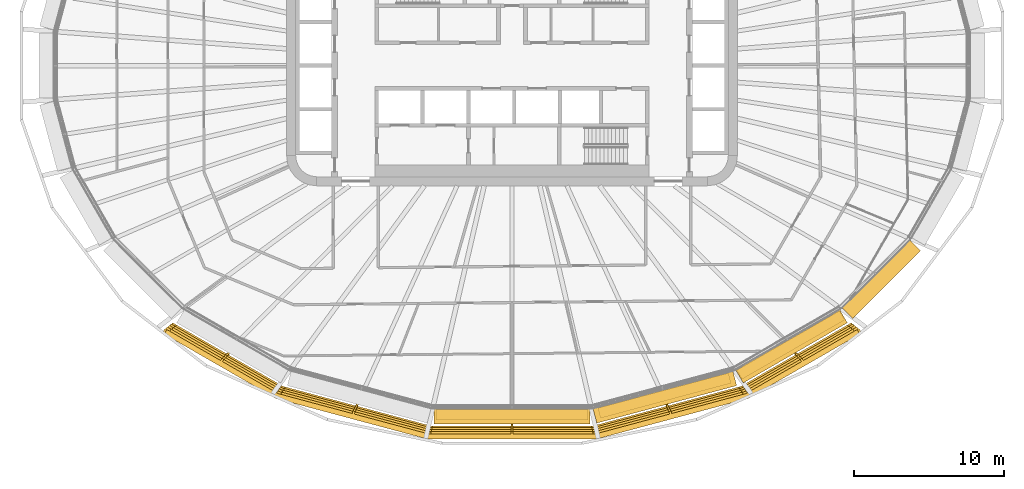
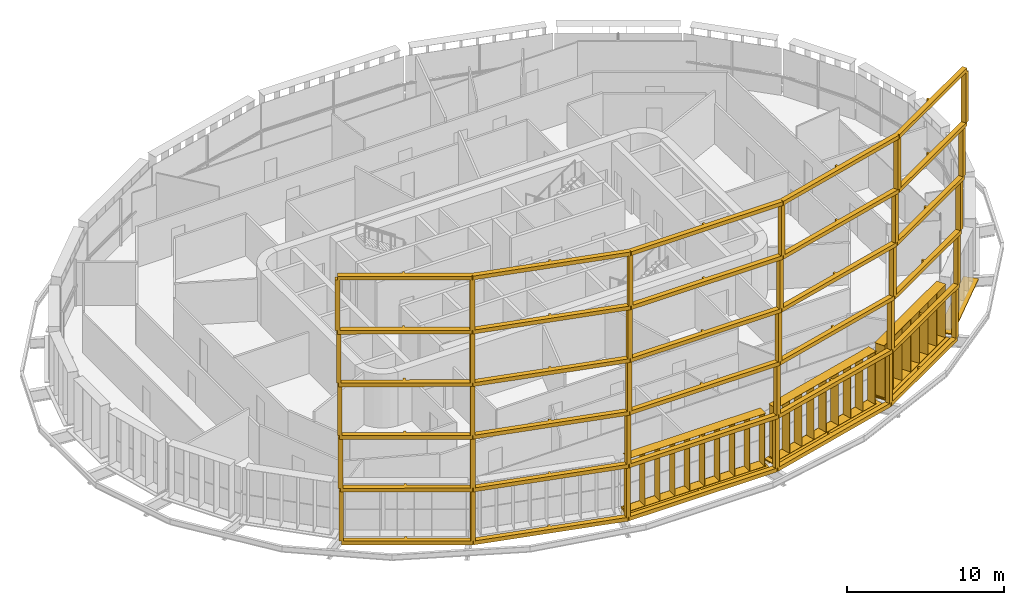
# One storey, part 20 of 23: 8 shading devices.
"""IFC4 building model written with IfcOpenShell, lengths in metres."""

from ifc_helpers import new_model, si_unit, direction, frame, origin, origin_2d, place, context, subcontext, project, spatial, polyline, rectangle, outline, extrude, material, type_object, element, save


model = new_model("IFC4")

# Units and contexts
model_context = context("Model", 3, precision=1e-05, world=origin(), true_north=direction((0.0, 1.0)))
body_context = subcontext(model_context, "Body", "Model", "MODEL_VIEW")
ifc_project = project(units=[si_unit("LENGTHUNIT", "METRE"), si_unit("AREAUNIT", "SQUARE_METRE"), si_unit("VOLUMEUNIT", "CUBIC_METRE"), si_unit("PLANEANGLEUNIT", "RADIAN"), si_unit("MASSUNIT", "GRAM", prefix="KILO")], contexts=[model_context])

# Site, building, storey
site_placement = place(None, origin())
site = spatial("IfcSite", under=ifc_project, at=site_placement, CompositionType="ELEMENT")
building_placement = place(site_placement, origin())
building = spatial("IfcBuilding", under=site, at=building_placement, Name="Sahrelin Media Tower", CompositionType="ELEMENT")
storey_placement = place(building_placement, frame((0.0, 0.0, 54.60009765625)))
storey = spatial("IfcBuildingStorey", under=building, at=storey_placement, Name="L08", CompositionType="ELEMENT", Elevation=54.60009765625)

# Shading devices
ifc_material_1 = material(Name="Dark bronze anodised aluminium 6063-T6", Category="aluminium")
shading_device_type_1 = type_object("IfcShadingDeviceType", Name="Deep frame", PredefinedType="USERDEFINED", material=ifc_material_1)
shading_device_1_placement = place(storey_placement, frame((-21.89404296875, -16.185546875, 0.0), z_axis=(0.0, 0.0, 1.0), x_axis=(-0.866019052629, 0.500011000363, 0.0)))
element("IfcShadingDevice", 1, at=shading_device_1_placement, inside=storey, type_object=shading_device_type_1, Name="L08:FRAME:F1-5", ObjectType="FRAME", PredefinedType="USERDEFINED", context=body_context, shape_type="SweptSolid", body=[
    extrude(rectangle(XDim=0.300048828125, YDim=0.35009765625, at=origin_2d()), frame((0.0, 1.324951171875, 0.14990234375), z_axis=(0.0, 0.0, 1.0), x_axis=(-1.0, 0.0, 0.0)), (0.0, 0.0, 1.0), 3.900146484375),
    extrude(rectangle(XDim=0.300048828125, YDim=0.35009765625, at=origin_2d()), frame((-8.375732421875, 1.313720703125, 0.14990234375), z_axis=(0.0, 0.0, 1.0), x_axis=(-0.991434606813, -0.130604059715, 0.0)), (0.0, 0.0, 1.0), 3.900146484375),
    extrude(rectangle(XDim=0.300048828125, YDim=0.35009765625, at=origin_2d()), frame((-18.215087890625, -1.32275390625, 0.14990234375), z_axis=(0.0, 0.0, 1.0), x_axis=(-0.923876860854, -0.382689882252, 0.0)), (0.0, 0.0, 1.0), 3.900146484375),
    extrude(rectangle(XDim=0.300048828125, YDim=0.35009765625, at=origin_2d()), frame((-27.66845703125, -6.780517578125, 0.14990234375), z_axis=(0.0, 0.0, 1.0), x_axis=(-0.793352277801, -0.608762813671, 0.0)), (0.0, 0.0, 1.0), 3.900146484375),
    extrude(rectangle(XDim=0.300048828125, YDim=0.35009765625, at=origin_2d()), frame((-34.871337890625, -13.9833984375, 0.14990234375), z_axis=(0.0, 0.0, 1.0), x_axis=(-0.608811275668, -0.793315089117, 0.0)), (0.0, 0.0, 1.0), 3.900146484375),
    extrude(rectangle(XDim=0.300048828125, YDim=0.35009765625, at=origin_2d()), frame((-39.069091796875, -21.231201171875, 0.14990234375), z_axis=(0.0, 0.0, 1.0), x_axis=(-0.499968258175, -0.86604372916, 0.0)), (0.0, 0.0, 1.0), 3.900146484375),
    extrude(outline(polyline([(-27.755859375, -6.62890625), (-27.66845703125, -6.780517578125), (-27.7919921875, -6.65673828125), (-34.9951171875, -13.859619140625), (-34.871337890625, -13.9833984375), (-35.022705078125, -13.895751953125), (-39.220458984375, -21.1435546875), (-38.917724609375, -21.319091796875), (-36.899658203125, -17.834716796875), (-36.748291015625, -17.921875), (-36.67333984375, -17.7919921875), (-36.824462890625, -17.704833984375), (-34.7314453125, -14.0908203125), (-31.19921875, -10.55859375), (-31.079833984375, -10.677978515625), (-30.973876953125, -10.572021484375), (-31.093017578125, -10.45263671875), (-27.56103515625, -6.920654296875), (-22.919189453125, -4.24072265625), (-22.8349609375, -4.38671875), (-22.705078125, -4.311767578125), (-22.789306640625, -4.165771484375), (-18.147705078125, -1.48583984375), (-13.322509765625, -0.193115234375), (-13.279052734375, -0.35595703125), (-13.134033203125, -0.317138671875), (-13.177734375, -0.154296875), (-8.3525390625, 1.138671875), (-4.176513671875, 1.144287109375), (-4.176513671875, 0.969970703125), (-4.0263671875, 0.969970703125), (-4.0263671875, 1.14453125), (0.000244140625, 1.14990234375), (-0.000244140625, 1.5), (-8.3759765625, 1.48876953125), (-8.375732421875, 1.313720703125), (-8.421142578125, 1.482666015625), (-18.260498046875, -1.15380859375), (-18.215087890625, -1.32275390625), (-18.302490234375, -1.171142578125), (-27.755859375, -6.62890625)])), frame((0.0, 0.0, -0.14990234375)), (0.0, 0.0, 1.0), 0.2998046875),
    extrude(rectangle(XDim=0.300048828125, YDim=0.35009765625, at=origin_2d()), frame((0.048583984375, 1.4453125, 4.35009765625), z_axis=(0.0, 0.0, 1.0), x_axis=(-1.0, 0.0, 0.0)), (0.0, 0.0, 1.0), 3.89990234375),
    extrude(rectangle(XDim=0.300048828125, YDim=0.35009765625, at=origin_2d()), frame((-8.365966796875, 1.43408203125, 4.35009765625), z_axis=(0.0, 0.0, 1.0), x_axis=(-0.991436202368, -0.130591947046, 0.0)), (0.0, 0.0, 1.0), 3.89990234375),
    extrude(rectangle(XDim=0.300048828125, YDim=0.35009765625, at=origin_2d()), frame((-18.24951171875, -1.214111328125, 4.35009765625), z_axis=(0.0, 0.0, 1.0), x_axis=(-0.923876860854, -0.382689882252, 0.0)), (0.0, 0.0, 1.0), 3.89990234375),
    extrude(rectangle(XDim=0.300048828125, YDim=0.35009765625, at=origin_2d()), frame((-27.7451171875, -6.6962890625, 4.35009765625), z_axis=(0.0, 0.0, 1.0), x_axis=(-0.793352277801, -0.608762813671, 0.0)), (0.0, 0.0, 1.0), 3.89990234375),
    extrude(rectangle(XDim=0.300048828125, YDim=0.35009765625, at=origin_2d()), frame((-34.98046875, -13.931640625, 4.35009765625), z_axis=(0.0, 0.0, 1.0), x_axis=(-0.608748966968, -0.793362902596, 0.0)), (0.0, 0.0, 1.0), 3.89990234375),
    extrude(rectangle(XDim=0.300048828125, YDim=0.35009765625, at=origin_2d()), frame((-39.197509765625, -21.21337890625, 4.35009765625), z_axis=(0.0, 0.0, 1.0), x_axis=(-0.500010580459, -0.866019295067, 0.0)), (0.0, 0.0, 1.0), 3.89990234375),
    extrude(outline(polyline([(-27.83251953125, -6.544921875), (-27.7451171875, -6.6962890625), (-27.868896484375, -6.57275390625), (-35.10400390625, -13.807861328125), (-34.98046875, -13.931640625), (-35.1318359375, -13.843994140625), (-39.34912109375, -21.125732421875), (-39.046142578125, -21.301025390625), (-37.018310546875, -17.7998046875), (-36.8671875, -17.886962890625), (-36.792236328125, -17.757080078125), (-36.943115234375, -17.669921875), (-34.84033203125, -14.039306640625), (-31.2919921875, -10.49072265625), (-31.1728515625, -10.610107421875), (-31.066650390625, -10.50390625), (-31.18603515625, -10.384765625), (-27.6376953125, -6.83642578125), (-22.974853515625, -4.144287109375), (-22.890380859375, -4.29052734375), (-22.760498046875, -4.215576171875), (-22.844970703125, -4.0693359375), (-18.181884765625, -1.377197265625), (-13.3349609375, -0.07861328125), (-13.291259765625, -0.241455078125), (-13.146484375, -0.20263671875), (-13.190185546875, -0.039794921875), (-8.343017578125, 1.259033203125), (-4.147216796875, 1.2646484375), (-4.147216796875, 1.09033203125), (-3.997314453125, 1.09033203125), (-3.997314453125, 1.264892578125), (0.048828125, 1.270263671875), (0.048583984375, 1.620361328125), (-8.3662109375, 1.60888671875), (-8.365966796875, 1.43408203125), (-8.411376953125, 1.60302734375), (-18.294921875, -1.045166015625), (-18.24951171875, -1.214111328125), (-18.337158203125, -1.062744140625), (-27.83251953125, -6.544921875)])), frame((0.0, 0.0, 4.050048828125)), (0.0, 0.0, 1.0), 0.300048828125),
    extrude(rectangle(XDim=0.300048828125, YDim=0.35009765625, at=origin_2d()), frame((0.10693359375, 1.58837890625, 8.550048828125), z_axis=(0.0, 0.0, 1.0), x_axis=(-1.0, 0.0, 0.0)), (0.0, 0.0, 1.0), 3.89990234375),
    extrude(rectangle(XDim=0.300048828125, YDim=0.35009765625, at=origin_2d()), frame((-8.354248046875, 1.5771484375, 8.550048828125), z_axis=(0.0, 0.0, 1.0), x_axis=(-0.991447594891, -0.130505427419, 0.0)), (0.0, 0.0, 1.0), 3.89990234375),
    extrude(rectangle(XDim=0.300048828125, YDim=0.35009765625, at=origin_2d()), frame((-18.29052734375, -1.085205078125, 8.550048828125), z_axis=(0.0, 0.0, 1.0), x_axis=(-0.923876860854, -0.382689882252, 0.0)), (0.0, 0.0, 1.0), 3.89990234375),
    extrude(rectangle(XDim=0.300048828125, YDim=0.35009765625, at=origin_2d()), frame((-27.83642578125, -6.596435546875, 8.550048828125), z_axis=(0.0, 0.0, 1.0), x_axis=(-0.793315089117, -0.608811275668, 0.0)), (0.0, 0.0, 1.0), 3.89990234375),
    extrude(rectangle(XDim=0.300048828125, YDim=0.35009765625, at=origin_2d()), frame((-35.1103515625, -13.8701171875, 8.550048828125), z_axis=(0.0, 0.0, 1.0), x_axis=(-0.608762813671, -0.793352277801, 0.0)), (0.0, 0.0, 1.0), 3.89990234375),
    extrude(rectangle(XDim=0.300048828125, YDim=0.35009765625, at=origin_2d()), frame((-39.3505859375, -21.192138671875, 8.550048828125), z_axis=(0.0, 0.0, 1.0), x_axis=(-0.500010580459, -0.866019295067, 0.0)), (0.0, 0.0, 1.0), 3.89990234375),
    extrude(outline(polyline([(-27.924072265625, -6.44482421875), (-27.83642578125, -6.596435546875), (-27.960205078125, -6.47265625), (-35.234130859375, -13.74658203125), (-35.1103515625, -13.8701171875), (-35.26171875, -13.782470703125), (-39.502197265625, -21.1044921875), (-39.19921875, -21.27978515625), (-37.159912109375, -17.75830078125), (-37.0087890625, -17.845703125), (-36.93359375, -17.7158203125), (-37.084716796875, -17.628662109375), (-34.970458984375, -13.977783203125), (-31.402587890625, -10.41015625), (-31.283447265625, -10.529296875), (-31.177490234375, -10.42333984375), (-31.296630859375, -10.303955078125), (-27.72900390625, -6.736572265625), (-23.041015625, -4.02978515625), (-22.95654296875, -4.17578125), (-22.82666015625, -4.100830078125), (-22.9111328125, -3.954833984375), (-18.222900390625, -1.248291015625), (-13.349609375, 0.0576171875), (-13.305908203125, -0.105224609375), (-13.160888671875, -0.06640625), (-13.20458984375, 0.096435546875), (-8.3310546875, 1.40234375), (-4.1123046875, 1.407958984375), (-4.1123046875, 1.2333984375), (-3.962158203125, 1.2333984375), (-3.962158203125, 1.408203125), (0.107177734375, 1.41357421875), (0.106689453125, 1.763427734375), (-8.3544921875, 1.752197265625), (-8.354248046875, 1.5771484375), (-8.399658203125, 1.746337890625), (-18.335693359375, -0.916015625), (-18.29052734375, -1.085205078125), (-18.3779296875, -0.93359375), (-27.924072265625, -6.44482421875)])), frame((0.0, 0.0, 8.25)), (0.0, 0.0, 1.0), 0.300048828125),
    extrude(rectangle(XDim=0.300048828125, YDim=0.35009765625, at=origin_2d()), frame((0.1708984375, 1.746337890625, 12.75), z_axis=(0.0, 0.0, 1.0), x_axis=(-1.0, 0.0, 0.0)), (0.0, 0.0, 1.0), 3.89990234375),
    extrude(rectangle(XDim=0.300048828125, YDim=0.35009765625, at=origin_2d()), frame((-8.34130859375, 1.735107421875, 12.75), z_axis=(0.0, 0.0, 1.0), x_axis=(-0.991449189241, -0.130493314592, 0.0)), (0.0, 0.0, 1.0), 3.89990234375),
    extrude(rectangle(XDim=0.300048828125, YDim=0.35009765625, at=origin_2d()), frame((-18.335693359375, -0.94287109375, 12.75), z_axis=(0.0, 0.0, 1.0), x_axis=(-0.923876860854, -0.382689882252, 0.0)), (0.0, 0.0, 1.0), 3.89990234375),
    extrude(rectangle(XDim=0.300048828125, YDim=0.35009765625, at=origin_2d()), frame((-27.93701171875, -6.486083984375, 12.75), z_axis=(0.0, 0.0, 1.0), x_axis=(-0.793400087474, -0.608700502051, 0.0)), (0.0, 0.0, 1.0), 3.89990234375),
    extrude(rectangle(XDim=0.300048828125, YDim=0.35009765625, at=origin_2d()), frame((-35.25341796875, -13.802490234375, 12.75), z_axis=(0.0, 0.0, 1.0), x_axis=(-0.608762813671, -0.793352277801, 0.0)), (0.0, 0.0, 1.0), 3.89990234375),
    extrude(rectangle(XDim=0.300048828125, YDim=0.35009765625, at=origin_2d()), frame((-39.51953125, -21.168701171875, 12.75), z_axis=(0.0, 0.0, 1.0), x_axis=(-0.499968258175, -0.86604372916, 0.0)), (0.0, 0.0, 1.0), 3.89990234375),
    extrude(outline(polyline([(-28.024658203125, -6.334716796875), (-27.93701171875, -6.486083984375), (-28.060791015625, -6.3623046875), (-35.377197265625, -13.6787109375), (-35.25341796875, -13.802490234375), (-35.40478515625, -13.714599609375), (-39.6708984375, -21.080810546875), (-39.367919921875, -21.25634765625), (-37.31591796875, -17.712890625), (-37.164794921875, -17.800048828125), (-37.089599609375, -17.670166015625), (-37.24072265625, -17.5830078125), (-35.113525390625, -13.909912109375), (-31.524658203125, -10.321044921875), (-31.4052734375, -10.440185546875), (-31.29931640625, -10.334228515625), (-31.41845703125, -10.215087890625), (-27.82958984375, -6.626220703125), (-23.114013671875, -3.903564453125), (-23.029541015625, -4.049560546875), (-22.899658203125, -3.974609375), (-22.98388671875, -3.82861328125), (-18.268310546875, -1.10595703125), (-13.36572265625, 0.207763671875), (-13.322021484375, 0.044921875), (-13.17724609375, 0.08349609375), (-13.220703125, 0.24658203125), (-8.318359375, 1.56005859375), (-4.07373046875, 1.56591796875), (-4.07373046875, 1.391357421875), (-3.923828125, 1.391357421875), (-3.923828125, 1.56591796875), (0.171142578125, 1.5712890625), (0.170654296875, 1.92138671875), (-8.341796875, 1.91015625), (-8.34130859375, 1.735107421875), (-8.38671875, 1.904296875), (-18.381103515625, -0.773681640625), (-18.335693359375, -0.94287109375), (-18.423095703125, -0.791259765625), (-28.024658203125, -6.334716796875)])), frame((0.0, 0.0, 12.449951171875)), (0.0, 0.0, 1.0), 0.300048828125),
    extrude(rectangle(XDim=0.300048828125, YDim=0.35009765625, at=origin_2d()), frame((0.2373046875, 1.910400390625, 16.949951171875), z_axis=(0.0, 0.0, 1.0), x_axis=(-1.0, 0.0, 0.0)), (0.0, 0.0, 1.0), 3.900146484375),
    extrude(rectangle(XDim=0.300048828125, YDim=0.35009765625, at=origin_2d()), frame((-8.328125, 1.899169921875, 16.949951171875), z_axis=(0.0, 0.0, 1.0), x_axis=(-0.991447594891, -0.130505427419, 0.0)), (0.0, 0.0, 1.0), 3.900146484375),
    extrude(rectangle(XDim=0.300048828125, YDim=0.35009765625, at=origin_2d()), frame((-18.3828125, -0.794921875, 16.949951171875), z_axis=(0.0, 0.0, 1.0), x_axis=(-0.923876860854, -0.382689882252, 0.0)), (0.0, 0.0, 1.0), 3.900146484375),
    extrude(rectangle(XDim=0.300048828125, YDim=0.35009765625, at=origin_2d()), frame((-28.041748046875, -6.37158203125, 16.949951171875), z_axis=(0.0, 0.0, 1.0), x_axis=(-0.793352277801, -0.608762813671, 0.0)), (0.0, 0.0, 1.0), 3.900146484375),
    extrude(rectangle(XDim=0.300048828125, YDim=0.35009765625, at=origin_2d()), frame((-35.402099609375, -13.73193359375, 16.949951171875), z_axis=(0.0, 0.0, 1.0), x_axis=(-0.608811275668, -0.793315089117, 0.0)), (0.0, 0.0, 1.0), 3.900146484375),
    extrude(rectangle(XDim=0.300048828125, YDim=0.35009765625, at=origin_2d()), frame((-39.69482421875, -21.14404296875, 16.949951171875), z_axis=(0.0, 0.0, 1.0), x_axis=(-0.500010580459, -0.866019295067, 0.0)), (0.0, 0.0, 1.0), 3.900146484375),
    extrude(outline(polyline([(-28.129150390625, -6.219970703125), (-28.041748046875, -6.37158203125), (-28.16552734375, -6.247802734375), (-35.52587890625, -13.608154296875), (-35.402099609375, -13.73193359375), (-35.5537109375, -13.644287109375), (-39.84619140625, -21.056396484375), (-39.54345703125, -21.231689453125), (-37.477783203125, -17.665283203125), (-37.32666015625, -17.75244140625), (-37.251708984375, -17.62255859375), (-37.402587890625, -17.535400390625), (-35.26220703125, -13.839599609375), (-31.6513671875, -10.228515625), (-31.531982421875, -10.347900390625), (-31.426025390625, -10.24169921875), (-31.545166015625, -10.12255859375), (-27.934326171875, -6.511474609375), (-23.189697265625, -3.772216796875), (-23.105224609375, -3.918212890625), (-22.975341796875, -3.84326171875), (-23.059814453125, -3.697265625), (-18.315185546875, -0.9580078125), (-13.382568359375, 0.36376953125), (-13.3388671875, 0.20068359375), (-13.194091796875, 0.239501953125), (-13.237548828125, 0.402587890625), (-8.304931640625, 1.72412109375), (-4.033935546875, 1.72998046875), (-4.033935546875, 1.555419921875), (-3.8837890625, 1.555419921875), (-3.8837890625, 1.72998046875), (0.237548828125, 1.735595703125), (0.237060546875, 2.08544921875), (-8.328369140625, 2.07421875), (-8.328125, 1.899169921875), (-8.373291015625, 2.068115234375), (-18.427978515625, -0.6259765625), (-18.3828125, -0.794921875), (-18.47021484375, -0.643310546875), (-28.129150390625, -6.219970703125)])), frame((0.0, 0.0, 16.64990234375)), (0.0, 0.0, 1.0), 0.300048828125),
    extrude(outline(polyline([(-28.129150390625, -6.219970703125), (-28.041748046875, -6.37158203125), (-28.16552734375, -6.247802734375), (-35.52587890625, -13.608154296875), (-35.402099609375, -13.73193359375), (-35.5537109375, -13.644287109375), (-39.84619140625, -21.056396484375), (-39.54345703125, -21.231689453125), (-37.477783203125, -17.665283203125), (-37.32666015625, -17.75244140625), (-37.251708984375, -17.62255859375), (-37.402587890625, -17.535400390625), (-35.26220703125, -13.839599609375), (-31.6513671875, -10.228515625), (-31.531982421875, -10.347900390625), (-31.426025390625, -10.24169921875), (-31.545166015625, -10.12255859375), (-27.934326171875, -6.511474609375), (-23.189697265625, -3.772216796875), (-23.105224609375, -3.918212890625), (-22.975341796875, -3.84326171875), (-23.059814453125, -3.697265625), (-18.315185546875, -0.9580078125), (-13.382568359375, 0.36376953125), (-13.3388671875, 0.20068359375), (-13.194091796875, 0.239501953125), (-13.237548828125, 0.402587890625), (-8.304931640625, 1.72412109375), (-4.033935546875, 1.72998046875), (-4.033935546875, 1.555419921875), (-3.8837890625, 1.555419921875), (-3.8837890625, 1.72998046875), (0.237548828125, 1.735595703125), (0.237060546875, 2.08544921875), (-8.328369140625, 2.07421875), (-8.328125, 1.899169921875), (-8.373291015625, 2.068115234375), (-18.427978515625, -0.6259765625), (-18.3828125, -0.794921875), (-18.47021484375, -0.643310546875), (-28.129150390625, -6.219970703125)])), frame((0.0, 0.0, 20.85009765625)), (0.0, 0.0, 1.0), 0.2998046875),
])
ifc_material_2 = material(Name="Champagne anodised aluminium 6063-T6", Category="aluminium")
shading_device_type_2 = type_object("IfcShadingDeviceType", Name="Fin cassette", PredefinedType="USERDEFINED", material=ifc_material_2)
placement_1 = place(storey_placement, frame((0.0, -22.833984375, 0.0), z_axis=(0.0, 0.0, 1.0), x_axis=(-1.0, 0.0, 0.0)))
element("IfcShadingDevice", 2, at=placement_1, inside=storey, type_object=shading_device_type_2, Name="L08:FIN:L08-18", ObjectType="FIN", PredefinedType="USERDEFINED", context=body_context, shape_type="SweptSolid", body=[
    extrude(rectangle(XDim=10.10009765625, YDim=0.699951171875, at=origin_2d()), frame((0.0, 0.419921875, 0.0)), (0.0, 0.0, 1.0), 0.02001953125),
    extrude(rectangle(XDim=10.10009765625, YDim=0.699951171875, at=origin_2d()), frame((0.0, 0.419921875, 4.10009765625)), (0.0, 0.0, 1.0), 0.02001953125),
    extrude(rectangle(XDim=0.02001953125, YDim=0.699951171875, at=origin_2d()), frame((-4.949951171875, 0.419921875, 0.010009765625), z_axis=(0.0, 0.0, 1.0), x_axis=(1.0, 0.0, 0.0)), (0.0, 0.0, 1.0), 4.10009765625),
    extrude(rectangle(XDim=0.02001953125, YDim=0.699951171875, at=origin_2d()), frame((-3.85009765625, 0.419921875, 0.010009765625), z_axis=(0.0, 0.0, 1.0), x_axis=(1.0, 0.0, 0.0)), (0.0, 0.0, 1.0), 4.10009765625),
    extrude(rectangle(XDim=0.02001953125, YDim=0.699951171875, at=origin_2d()), frame((-2.75, 0.419921875, 0.010009765625), z_axis=(0.0, 0.0, 1.0), x_axis=(1.0, 0.0, 0.0)), (0.0, 0.0, 1.0), 4.10009765625),
    extrude(rectangle(XDim=0.02001953125, YDim=0.699951171875, at=origin_2d()), frame((-1.64990234375, 0.419921875, 0.010009765625), z_axis=(0.0, 0.0, 1.0), x_axis=(1.0, 0.0, 0.0)), (0.0, 0.0, 1.0), 4.10009765625),
    extrude(rectangle(XDim=0.02001953125, YDim=0.699951171875, at=origin_2d()), frame((-0.550048828125, 0.419921875, 0.010009765625), z_axis=(0.0, 0.0, 1.0), x_axis=(1.0, 0.0, 0.0)), (0.0, 0.0, 1.0), 4.10009765625),
    extrude(rectangle(XDim=0.02001953125, YDim=0.699951171875, at=origin_2d()), frame((0.550048828125, 0.419921875, 0.010009765625), z_axis=(0.0, 0.0, 1.0), x_axis=(1.0, 0.0, 0.0)), (0.0, 0.0, 1.0), 4.10009765625),
    extrude(rectangle(XDim=0.02001953125, YDim=0.699951171875, at=origin_2d()), frame((1.64990234375, 0.419921875, 0.010009765625), z_axis=(0.0, 0.0, 1.0), x_axis=(1.0, 0.0, 0.0)), (0.0, 0.0, 1.0), 4.10009765625),
    extrude(rectangle(XDim=0.02001953125, YDim=0.699951171875, at=origin_2d()), frame((2.75, 0.419921875, 0.010009765625), z_axis=(0.0, 0.0, 1.0), x_axis=(1.0, 0.0, 0.0)), (0.0, 0.0, 1.0), 4.10009765625),
    extrude(rectangle(XDim=0.02001953125, YDim=0.699951171875, at=origin_2d()), frame((3.85009765625, 0.419921875, 0.010009765625), z_axis=(0.0, 0.0, 1.0), x_axis=(1.0, 0.0, 0.0)), (0.0, 0.0, 1.0), 4.10009765625),
    extrude(rectangle(XDim=0.02001953125, YDim=0.699951171875, at=origin_2d()), frame((4.949951171875, 0.419921875, 0.010009765625), z_axis=(0.0, 0.0, 1.0), x_axis=(1.0, 0.0, 0.0)), (0.0, 0.0, 1.0), 4.10009765625),
])
placement_2 = place(storey_placement, frame((10.03759765625, -21.560302734375, 0.0), z_axis=(0.0, 0.0, 1.0), x_axis=(-0.965928857556, -0.258807731996, 0.0)))
element("IfcShadingDevice", 3, at=placement_2, inside=storey, type_object=shading_device_type_2, Name="L08:FIN:L08-19", ObjectType="FIN", PredefinedType="USERDEFINED", context=body_context, shape_type="SweptSolid", body=[
    extrude(rectangle(XDim=9.0, YDim=0.699951171875, at=origin_2d()), frame((0.0, 0.419921875, 0.0)), (0.0, 0.0, 1.0), 0.02001953125),
    extrude(rectangle(XDim=9.0, YDim=0.699951171875, at=origin_2d()), frame((0.0, 0.419921875, 4.10009765625)), (0.0, 0.0, 1.0), 0.02001953125),
    extrude(rectangle(XDim=0.02001953125, YDim=0.699951171875, at=origin_2d()), frame((-4.39990234375, 0.419921875, 0.010009765625), z_axis=(0.0, 0.0, 1.0), x_axis=(1.0, 0.0, 0.0)), (0.0, 0.0, 1.0), 4.10009765625),
    extrude(rectangle(XDim=0.02001953125, YDim=0.699951171875, at=origin_2d()), frame((-3.300048828125, 0.419921875, 0.010009765625), z_axis=(0.0, 0.0, 1.0), x_axis=(1.0, 0.0, 0.0)), (0.0, 0.0, 1.0), 4.10009765625),
    extrude(rectangle(XDim=0.02001953125, YDim=0.699951171875, at=origin_2d()), frame((-2.199951171875, 0.419921875, 0.010009765625), z_axis=(0.0, 0.0, 1.0), x_axis=(1.0, 0.0, 0.0)), (0.0, 0.0, 1.0), 4.10009765625),
    extrude(rectangle(XDim=0.02001953125, YDim=0.699951171875, at=origin_2d()), frame((-1.10009765625, 0.419921875, 0.010009765625), z_axis=(0.0, 0.0, 1.0), x_axis=(1.0, 0.0, 0.0)), (0.0, 0.0, 1.0), 4.10009765625),
    extrude(rectangle(XDim=0.02001953125, YDim=0.699951171875, at=origin_2d()), frame((0.0, 0.419921875, 0.010009765625), z_axis=(0.0, 0.0, 1.0), x_axis=(1.0, 0.0, 0.0)), (0.0, 0.0, 1.0), 4.10009765625),
    extrude(rectangle(XDim=0.02001953125, YDim=0.699951171875, at=origin_2d()), frame((1.10009765625, 0.419921875, 0.010009765625), z_axis=(0.0, 0.0, 1.0), x_axis=(1.0, 0.0, 0.0)), (0.0, 0.0, 1.0), 4.10009765625),
    extrude(rectangle(XDim=0.02001953125, YDim=0.699951171875, at=origin_2d()), frame((2.199951171875, 0.419921875, 0.010009765625), z_axis=(0.0, 0.0, 1.0), x_axis=(1.0, 0.0, 0.0)), (0.0, 0.0, 1.0), 4.10009765625),
    extrude(rectangle(XDim=0.02001953125, YDim=0.699951171875, at=origin_2d()), frame((3.300048828125, 0.419921875, 0.010009765625), z_axis=(0.0, 0.0, 1.0), x_axis=(1.0, 0.0, 0.0)), (0.0, 0.0, 1.0), 4.10009765625),
    extrude(rectangle(XDim=0.02001953125, YDim=0.699951171875, at=origin_2d()), frame((4.39990234375, 0.419921875, 0.010009765625), z_axis=(0.0, 0.0, 1.0), x_axis=(1.0, 0.0, 0.0)), (0.0, 0.0, 1.0), 4.10009765625),
])
placement_3 = place(storey_placement, frame((18.342041015625, -18.236328125, 0.0), z_axis=(0.0, 0.0, 1.0), x_axis=(-0.866019052629, -0.500011000363, 0.0)))
element("IfcShadingDevice", 4, at=placement_3, inside=storey, type_object=shading_device_type_2, Name="L08:FIN:L08-20", ObjectType="FIN", PredefinedType="USERDEFINED", context=body_context, shape_type="SweptSolid", body=[
    extrude(rectangle(XDim=7.89990234375, YDim=0.699951171875, at=origin_2d()), frame((0.0, 0.419921875, 0.0)), (0.0, 0.0, 1.0), 0.02001953125),
    extrude(rectangle(XDim=7.89990234375, YDim=0.699951171875, at=origin_2d()), frame((0.0, 0.419921875, 4.10009765625)), (0.0, 0.0, 1.0), 0.02001953125),
    extrude(rectangle(XDim=0.02001953125, YDim=0.699951171875, at=origin_2d()), frame((-3.85009765625, 0.419921875, 0.010009765625), z_axis=(0.0, 0.0, 1.0), x_axis=(1.0, 0.0, 0.0)), (0.0, 0.0, 1.0), 4.10009765625),
    extrude(rectangle(XDim=0.02001953125, YDim=0.699951171875, at=origin_2d()), frame((-2.75, 0.419921875, 0.010009765625), z_axis=(0.0, 0.0, 1.0), x_axis=(1.0, 0.0, 0.0)), (0.0, 0.0, 1.0), 4.10009765625),
    extrude(rectangle(XDim=0.02001953125, YDim=0.699951171875, at=origin_2d()), frame((-1.64990234375, 0.419921875, 0.010009765625), z_axis=(0.0, 0.0, 1.0), x_axis=(1.0, 0.0, 0.0)), (0.0, 0.0, 1.0), 4.10009765625),
    extrude(rectangle(XDim=0.02001953125, YDim=0.699951171875, at=origin_2d()), frame((-0.550048828125, 0.419921875, 0.010009765625), z_axis=(0.0, 0.0, 1.0), x_axis=(1.0, 0.0, 0.0)), (0.0, 0.0, 1.0), 4.10009765625),
    extrude(rectangle(XDim=0.02001953125, YDim=0.699951171875, at=origin_2d()), frame((0.550048828125, 0.419921875, 0.010009765625), z_axis=(0.0, 0.0, 1.0), x_axis=(1.0, 0.0, 0.0)), (0.0, 0.0, 1.0), 4.10009765625),
    extrude(rectangle(XDim=0.02001953125, YDim=0.699951171875, at=origin_2d()), frame((1.64990234375, 0.419921875, 0.010009765625), z_axis=(0.0, 0.0, 1.0), x_axis=(1.0, 0.0, 0.0)), (0.0, 0.0, 1.0), 4.10009765625),
    extrude(rectangle(XDim=0.02001953125, YDim=0.699951171875, at=origin_2d()), frame((2.75, 0.419921875, 0.010009765625), z_axis=(0.0, 0.0, 1.0), x_axis=(1.0, 0.0, 0.0)), (0.0, 0.0, 1.0), 4.10009765625),
    extrude(rectangle(XDim=0.02001953125, YDim=0.699951171875, at=origin_2d()), frame((3.85009765625, 0.419921875, 0.010009765625), z_axis=(0.0, 0.0, 1.0), x_axis=(1.0, 0.0, 0.0)), (0.0, 0.0, 1.0), 4.10009765625),
])
shading_device_type_3 = type_object("IfcShadingDeviceType", Name="Sunshade band", PredefinedType="USERDEFINED", material=ifc_material_2)
element("IfcShadingDevice", 5, at=placement_1, inside=storey, type_object=shading_device_type_3, Name="L08:SUN:L08-18", ObjectType="SUNSHADE", PredefinedType="USERDEFINED", context=body_context, shape_type="SweptSolid", body=[
    extrude(rectangle(XDim=10.369873046875, YDim=0.050048828125, at=origin_2d()), frame((0.0, 0.044921875, -0.55126953125)), (0.0, 0.0, 1.0), 0.471435546875),
    extrude(rectangle(XDim=10.369873046875, YDim=1.0, at=origin_2d()), frame((0.0, 0.52001953125, -0.080078125)), (0.0, 0.0, 1.0), 0.080078125),
    extrude(rectangle(XDim=0.10009765625, YDim=0.074951171875, at=origin_2d()), frame((-5.0849609375, -0.017578125, -0.47021484375)), (0.0, 0.0, 1.0), 0.300048828125),
    extrude(rectangle(XDim=0.10009765625, YDim=0.074951171875, at=origin_2d()), frame((-3.389892578125, -0.017578125, -0.47021484375)), (0.0, 0.0, 1.0), 0.300048828125),
    extrude(rectangle(XDim=0.10009765625, YDim=0.074951171875, at=origin_2d()), frame((-1.695068359375, -0.017578125, -0.47021484375)), (0.0, 0.0, 1.0), 0.300048828125),
    extrude(rectangle(XDim=0.10009765625, YDim=0.074951171875, at=origin_2d()), frame((0.0, -0.017578125, -0.47021484375)), (0.0, 0.0, 1.0), 0.300048828125),
    extrude(rectangle(XDim=0.10009765625, YDim=0.074951171875, at=origin_2d()), frame((1.695068359375, -0.017578125, -0.47021484375)), (0.0, 0.0, 1.0), 0.300048828125),
    extrude(rectangle(XDim=0.10009765625, YDim=0.074951171875, at=origin_2d()), frame((3.389892578125, -0.017578125, -0.47021484375)), (0.0, 0.0, 1.0), 0.300048828125),
    extrude(rectangle(XDim=0.10009765625, YDim=0.074951171875, at=origin_2d()), frame((5.0849609375, -0.017578125, -0.47021484375)), (0.0, 0.0, 1.0), 0.300048828125),
])
element("IfcShadingDevice", 6, at=placement_2, inside=storey, type_object=shading_device_type_3, Name="L08:SUN:L08-19", ObjectType="SUNSHADE", PredefinedType="USERDEFINED", context=body_context, shape_type="SweptSolid", body=[
    extrude(rectangle(XDim=9.640380859375, YDim=0.050048828125, at=origin_2d()), frame((0.0, 0.044921875, -0.55126953125)), (0.0, 0.0, 1.0), 0.471435546875),
    extrude(rectangle(XDim=9.640380859375, YDim=1.0, at=origin_2d()), frame((0.0, 0.52001953125, -0.080078125)), (0.0, 0.0, 1.0), 0.080078125),
    extrude(rectangle(XDim=0.10009765625, YDim=0.074951171875, at=origin_2d()), frame((-4.72021484375, -0.017578125, -0.47021484375)), (0.0, 0.0, 1.0), 0.300048828125),
    extrude(rectangle(XDim=0.10009765625, YDim=0.074951171875, at=origin_2d()), frame((-2.832275390625, -0.017578125, -0.47021484375)), (0.0, 0.0, 1.0), 0.300048828125),
    extrude(rectangle(XDim=0.10009765625, YDim=0.074951171875, at=origin_2d()), frame((-0.944091796875, -0.017578125, -0.47021484375)), (0.0, 0.0, 1.0), 0.300048828125),
    extrude(rectangle(XDim=0.10009765625, YDim=0.074951171875, at=origin_2d()), frame((0.944091796875, -0.017578125, -0.47021484375)), (0.0, 0.0, 1.0), 0.300048828125),
    extrude(rectangle(XDim=0.10009765625, YDim=0.074951171875, at=origin_2d()), frame((2.832275390625, -0.017578125, -0.47021484375)), (0.0, 0.0, 1.0), 0.300048828125),
    extrude(rectangle(XDim=0.10009765625, YDim=0.074951171875, at=origin_2d()), frame((4.72021484375, -0.017578125, -0.47021484375)), (0.0, 0.0, 1.0), 0.300048828125),
])
element("IfcShadingDevice", 7, at=placement_3, inside=storey, type_object=shading_device_type_3, Name="L08:SUN:L08-20", ObjectType="SUNSHADE", PredefinedType="USERDEFINED", context=body_context, shape_type="SweptSolid", body=[
    extrude(rectangle(XDim=8.0029296875, YDim=0.050048828125, at=origin_2d()), frame((0.0, 0.044921875, -0.55126953125)), (0.0, 0.0, 1.0), 0.471435546875),
    extrude(rectangle(XDim=8.0029296875, YDim=1.0, at=origin_2d()), frame((0.0, 0.52001953125, -0.080078125)), (0.0, 0.0, 1.0), 0.080078125),
    extrude(rectangle(XDim=0.10009765625, YDim=0.074951171875, at=origin_2d()), frame((-3.9013671875, -0.017578125, -0.47021484375)), (0.0, 0.0, 1.0), 0.300048828125),
    extrude(rectangle(XDim=0.10009765625, YDim=0.074951171875, at=origin_2d()), frame((-2.3408203125, -0.017578125, -0.47021484375)), (0.0, 0.0, 1.0), 0.300048828125),
    extrude(rectangle(XDim=0.10009765625, YDim=0.074951171875, at=origin_2d()), frame((-0.7802734375, -0.017578125, -0.47021484375)), (0.0, 0.0, 1.0), 0.300048828125),
    extrude(rectangle(XDim=0.10009765625, YDim=0.074951171875, at=origin_2d()), frame((0.7802734375, -0.017578125, -0.47021484375)), (0.0, 0.0, 1.0), 0.300048828125),
    extrude(rectangle(XDim=0.10009765625, YDim=0.074951171875, at=origin_2d()), frame((2.3408203125, -0.017578125, -0.47021484375)), (0.0, 0.0, 1.0), 0.300048828125),
    extrude(rectangle(XDim=0.10009765625, YDim=0.074951171875, at=origin_2d()), frame((3.9013671875, -0.017578125, -0.47021484375)), (0.0, 0.0, 1.0), 0.300048828125),
])
shading_device_8_placement = place(storey_placement, frame((24.21826171875, -13.861572265625, 0.0), z_axis=(0.0, 0.0, 1.0), x_axis=(-0.707106781187, -0.707106781187, 0.0)))
element("IfcShadingDevice", 8, at=shading_device_8_placement, inside=storey, type_object=shading_device_type_3, Name="L08:SUN:L08-21", ObjectType="SUNSHADE", PredefinedType="USERDEFINED", context=body_context, shape_type="SweptSolid", body=[
    extrude(rectangle(XDim=6.373779296875, YDim=0.050048828125, at=origin_2d()), frame((0.0, 0.044921875, -0.55126953125)), (0.0, 0.0, 1.0), 0.471435546875),
    extrude(rectangle(XDim=6.373779296875, YDim=1.0, at=origin_2d()), frame((0.0, 0.52001953125, -0.080078125)), (0.0, 0.0, 1.0), 0.080078125),
    extrude(rectangle(XDim=0.10009765625, YDim=0.074951171875, at=origin_2d()), frame((-3.0869140625, -0.017578125, -0.47021484375)), (0.0, 0.0, 1.0), 0.300048828125),
    extrude(rectangle(XDim=0.10009765625, YDim=0.074951171875, at=origin_2d()), frame((-1.54345703125, -0.017578125, -0.47021484375)), (0.0, 0.0, 1.0), 0.300048828125),
    extrude(rectangle(XDim=0.10009765625, YDim=0.074951171875, at=origin_2d()), frame((0.0, -0.017578125, -0.47021484375)), (0.0, 0.0, 1.0), 0.300048828125),
    extrude(rectangle(XDim=0.10009765625, YDim=0.074951171875, at=origin_2d()), frame((1.54345703125, -0.017578125, -0.47021484375)), (0.0, 0.0, 1.0), 0.300048828125),
    extrude(rectangle(XDim=0.10009765625, YDim=0.074951171875, at=origin_2d()), frame((3.0869140625, -0.017578125, -0.47021484375)), (0.0, 0.0, 1.0), 0.300048828125),
])

save(model, "model.ifc")
